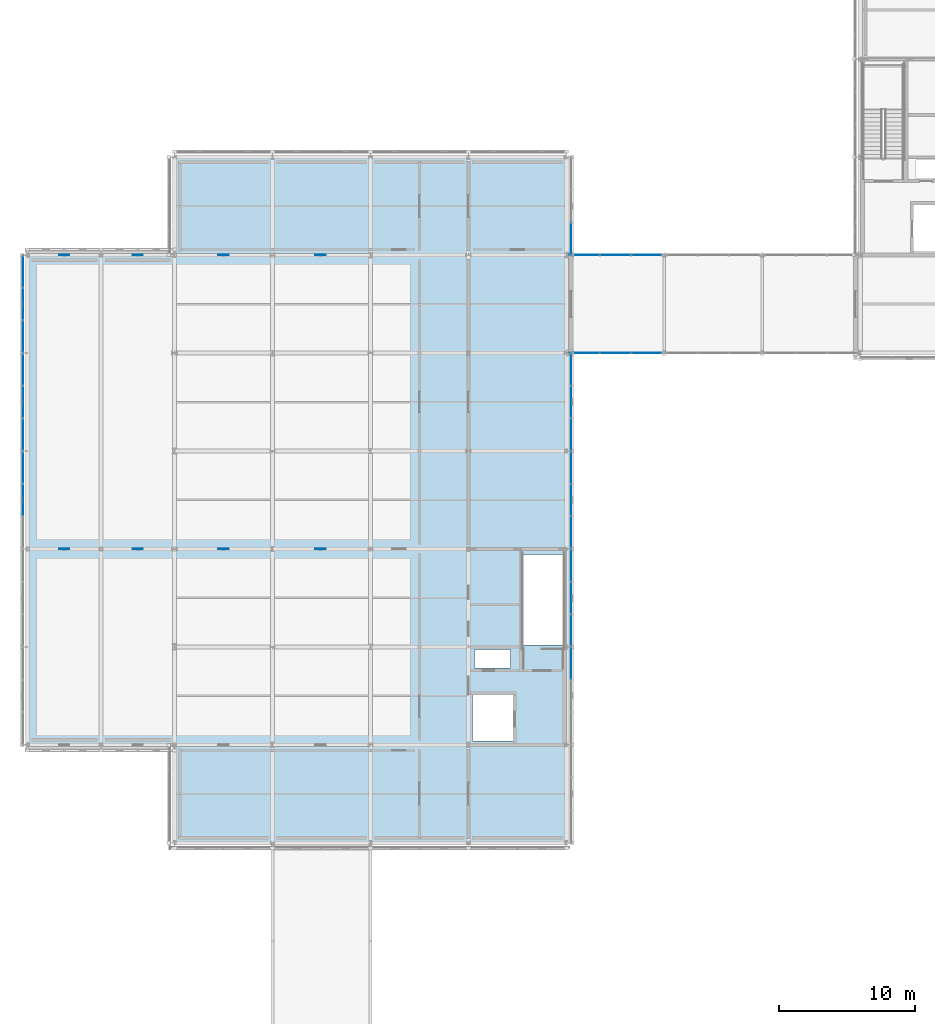
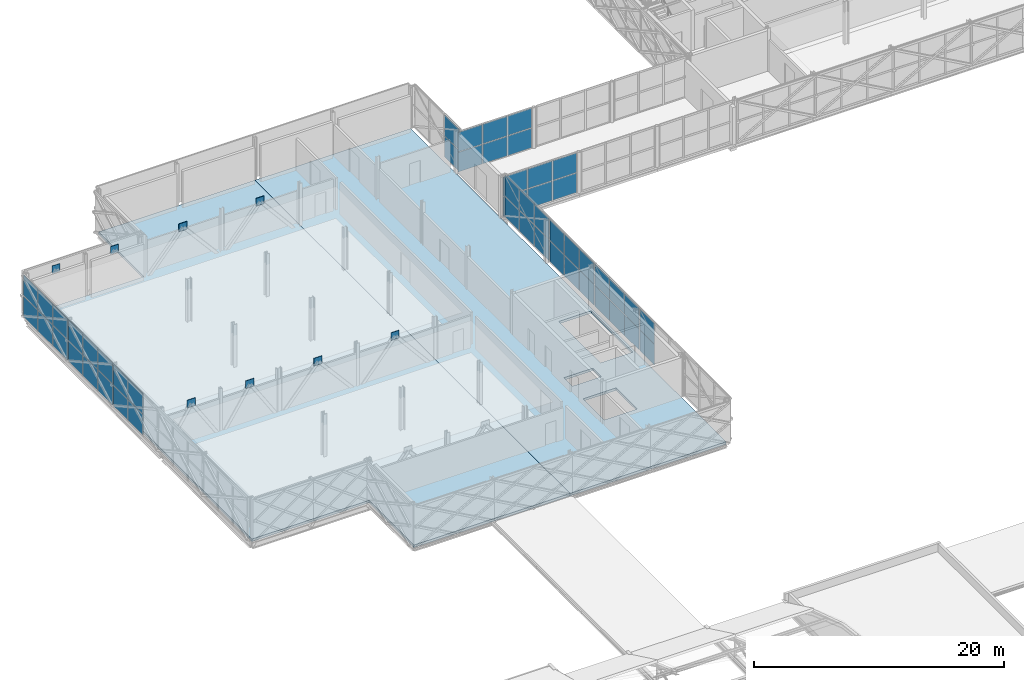
# One storey, part 69 of 103: 58 plates, 2 slabs, 10 elements without a shape of their own.
"""IFC4 building model written with IfcOpenShell, lengths in metres."""

from ifc_helpers import new_model, si_unit, direction, frame, origin, origin_2d, place, context, subcontext, project, spatial, polyline, rectangle, outline, extrude, material, layer, layer_set, type_object, element, aggregate, save


model = new_model("IFC4")

# Units and contexts
model_context = context("Model", 3, precision=1e-05, world=origin(), true_north=direction((0.0, 1.0)))
body_context = subcontext(model_context, "Body", "Model", "MODEL_VIEW")
ifc_project = project(units=[si_unit("LENGTHUNIT", "METRE"), si_unit("AREAUNIT", "SQUARE_METRE"), si_unit("VOLUMEUNIT", "CUBIC_METRE"), si_unit("PLANEANGLEUNIT", "RADIAN"), si_unit("MASSUNIT", "GRAM", prefix="KILO")], contexts=[model_context])

# Site, building, storey
site_placement = place(None, origin())
site = spatial("IfcSite", under=ifc_project, at=site_placement, CompositionType="ELEMENT")
building_placement = place(site_placement, origin())
building = spatial("IfcBuilding", under=site, at=building_placement, Name="Zlatovets Crest Museum", CompositionType="ELEMENT")
storey_placement = place(building_placement, frame((0.0, 0.0, 12.89990234375)))
storey = spatial("IfcBuildingStorey", under=building, at=storey_placement, Name="L03", CompositionType="ELEMENT", Elevation=12.89990234375)

# Curtain wall, plates
ifc_material_1 = material(Name="Bronze-anodised aluminium and low-E triple glass", Category="aluminium")
curtain_wall_type_1 = type_object("IfcCurtainWallType", Name="CW_CW-BR3-L03-S69", PredefinedType="NOTDEFINED", material=ifc_material_1)
curtain_wall_1_placement = place(storey_placement, origin())
curtain_wall_1 = element("IfcCurtainWall", 1, at=curtain_wall_1_placement, inside=storey, type_object=curtain_wall_type_1, Name="Northwest Crest Glazed Link Bridge L03 Glazed Bridge Curtain Wall", PredefinedType="NOTDEFINED")
ifc_material_2 = material(Name="Solar-control low-E laminated triple glass", Category="glass")
ifc_layer_1 = layer(ifc_material_2, 0.030029296875)
ifc_layer_set_1 = layer_set([ifc_layer_1], Name="Solar-control low-E laminated triple glass")
plate_type_1 = type_object("IfcPlateType", Name="CWPanel_CW-BR3-L03-S69", PredefinedType="CURTAIN_PANEL", material=ifc_layer_set_1)
plate_1_placement = place(storey_placement, frame((37.31494140625, 86.39990234375, 0.06005859375), z_axis=(0.0, 0.0, 1.0), x_axis=(1.0, 0.0, 0.0)))
plate_1 = element("IfcPlate", 2, at=plate_1_placement, type_object=plate_type_1, Name="CW-BR3-L03-S69 panel 1.1", PredefinedType="CURTAIN_PANEL", context=body_context, shape_type="SweptSolid", body=[
    extrude(rectangle(XDim=2.2099609375, YDim=0.030029296875, at=origin_2d()), origin(), (0.0, 0.0, 1.0), 1.89990234375),
])
plate_2_placement = place(storey_placement, frame((37.31494140625, 86.39990234375, 2.020263671875), z_axis=(0.0, 0.0, 1.0), x_axis=(1.0, 0.0, 0.0)))
plate_2 = element("IfcPlate", 3, at=plate_2_placement, type_object=plate_type_1, Name="CW-BR3-L03-S69 panel 1.2", PredefinedType="CURTAIN_PANEL", context=body_context, shape_type="SweptSolid", body=[
    extrude(rectangle(XDim=2.2099609375, YDim=0.030029296875, at=origin_2d()), origin(), (0.0, 0.0, 1.0), 1.89990234375),
])
plate_3_placement = place(storey_placement, frame((39.60009765625, 86.39990234375, 0.06005859375), z_axis=(0.0, 0.0, 1.0), x_axis=(1.0, 0.0, 0.0)))
plate_3 = element("IfcPlate", 4, at=plate_3_placement, type_object=plate_type_1, Name="CW-BR3-L03-S69 panel 2.1", PredefinedType="CURTAIN_PANEL", context=body_context, shape_type="SweptSolid", body=[
    extrude(rectangle(XDim=2.239990234375, YDim=0.030029296875, at=origin_2d()), origin(), (0.0, 0.0, 1.0), 1.89990234375),
])
plate_4_placement = place(storey_placement, frame((39.60009765625, 86.39990234375, 2.020263671875), z_axis=(0.0, 0.0, 1.0), x_axis=(1.0, 0.0, 0.0)))
plate_4 = element("IfcPlate", 5, at=plate_4_placement, type_object=plate_type_1, Name="CW-BR3-L03-S69 panel 2.2", PredefinedType="CURTAIN_PANEL", context=body_context, shape_type="SweptSolid", body=[
    extrude(rectangle(XDim=2.239990234375, YDim=0.030029296875, at=origin_2d()), origin(), (0.0, 0.0, 1.0), 1.89990234375),
])
plate_5_placement = place(storey_placement, frame((41.885009765625, 86.39990234375, 0.06005859375), z_axis=(0.0, 0.0, 1.0), x_axis=(1.0, 0.0, 0.0)))
plate_5 = element("IfcPlate", 6, at=plate_5_placement, type_object=plate_type_1, Name="CW-BR3-L03-S69 panel 3.1", PredefinedType="CURTAIN_PANEL", context=body_context, shape_type="SweptSolid", body=[
    extrude(rectangle(XDim=2.2099609375, YDim=0.030029296875, at=origin_2d()), origin(), (0.0, 0.0, 1.0), 1.89990234375),
])
plate_6_placement = place(storey_placement, frame((41.885009765625, 86.39990234375, 2.020263671875), z_axis=(0.0, 0.0, 1.0), x_axis=(1.0, 0.0, 0.0)))
plate_6 = element("IfcPlate", 7, at=plate_6_placement, type_object=plate_type_1, Name="CW-BR3-L03-S69 panel 3.2", PredefinedType="CURTAIN_PANEL", context=body_context, shape_type="SweptSolid", body=[
    extrude(rectangle(XDim=2.2099609375, YDim=0.030029296875, at=origin_2d()), origin(), (0.0, 0.0, 1.0), 1.89990234375),
])
aggregate(curtain_wall_1, [plate_1, plate_2, plate_3, plate_4, plate_5, plate_6])

curtain_wall_2_placement = place(storey_placement, origin())
curtain_wall_2 = element("IfcCurtainWall", 8, at=curtain_wall_2_placement, inside=storey, type_object=curtain_wall_type_1, Name="Northwest Crest Glazed Link Bridge L03 Glazed Bridge Curtain Wall", PredefinedType="NOTDEFINED")
plate_7_placement = place(storey_placement, frame((37.31494140625, 93.60009765625, 0.06005859375), z_axis=(0.0, 0.0, 1.0), x_axis=(1.0, 0.0, 0.0)))
plate_7 = element("IfcPlate", 9, at=plate_7_placement, type_object=plate_type_1, Name="CW-BR3-L03-S69 panel 1.1", PredefinedType="CURTAIN_PANEL", context=body_context, shape_type="SweptSolid", body=[
    extrude(rectangle(XDim=2.2099609375, YDim=0.030029296875, at=origin_2d()), origin(), (0.0, 0.0, 1.0), 1.89990234375),
])
plate_8_placement = place(storey_placement, frame((37.31494140625, 93.60009765625, 2.020263671875), z_axis=(0.0, 0.0, 1.0), x_axis=(1.0, 0.0, 0.0)))
plate_8 = element("IfcPlate", 10, at=plate_8_placement, type_object=plate_type_1, Name="CW-BR3-L03-S69 panel 1.2", PredefinedType="CURTAIN_PANEL", context=body_context, shape_type="SweptSolid", body=[
    extrude(rectangle(XDim=2.2099609375, YDim=0.030029296875, at=origin_2d()), origin(), (0.0, 0.0, 1.0), 1.89990234375),
])
plate_9_placement = place(storey_placement, frame((39.60009765625, 93.60009765625, 0.06005859375), z_axis=(0.0, 0.0, 1.0), x_axis=(1.0, 0.0, 0.0)))
plate_9 = element("IfcPlate", 11, at=plate_9_placement, type_object=plate_type_1, Name="CW-BR3-L03-S69 panel 2.1", PredefinedType="CURTAIN_PANEL", context=body_context, shape_type="SweptSolid", body=[
    extrude(rectangle(XDim=2.239990234375, YDim=0.030029296875, at=origin_2d()), origin(), (0.0, 0.0, 1.0), 1.89990234375),
])
plate_10_placement = place(storey_placement, frame((39.60009765625, 93.60009765625, 2.020263671875), z_axis=(0.0, 0.0, 1.0), x_axis=(1.0, 0.0, 0.0)))
plate_10 = element("IfcPlate", 12, at=plate_10_placement, type_object=plate_type_1, Name="CW-BR3-L03-S69 panel 2.2", PredefinedType="CURTAIN_PANEL", context=body_context, shape_type="SweptSolid", body=[
    extrude(rectangle(XDim=2.239990234375, YDim=0.030029296875, at=origin_2d()), origin(), (0.0, 0.0, 1.0), 1.89990234375),
])
plate_11_placement = place(storey_placement, frame((41.885009765625, 93.60009765625, 0.06005859375), z_axis=(0.0, 0.0, 1.0), x_axis=(1.0, 0.0, 0.0)))
plate_11 = element("IfcPlate", 13, at=plate_11_placement, type_object=plate_type_1, Name="CW-BR3-L03-S69 panel 3.1", PredefinedType="CURTAIN_PANEL", context=body_context, shape_type="SweptSolid", body=[
    extrude(rectangle(XDim=2.2099609375, YDim=0.030029296875, at=origin_2d()), origin(), (0.0, 0.0, 1.0), 1.89990234375),
])
plate_12_placement = place(storey_placement, frame((41.885009765625, 93.60009765625, 2.020263671875), z_axis=(0.0, 0.0, 1.0), x_axis=(1.0, 0.0, 0.0)))
plate_12 = element("IfcPlate", 14, at=plate_12_placement, type_object=plate_type_1, Name="CW-BR3-L03-S69 panel 3.2", PredefinedType="CURTAIN_PANEL", context=body_context, shape_type="SweptSolid", body=[
    extrude(rectangle(XDim=2.2099609375, YDim=0.030029296875, at=origin_2d()), origin(), (0.0, 0.0, 1.0), 1.89990234375),
])
aggregate(curtain_wall_2, [plate_7, plate_8, plate_9, plate_10, plate_11, plate_12])

curtain_wall_type_2 = type_object("IfcCurtainWallType", Name="CW_CW-V4-L03-M0", PredefinedType="NOTDEFINED", material=ifc_material_1)
curtain_wall_3_placement = place(storey_placement, origin())
curtain_wall_3 = element("IfcCurtainWall", 15, at=curtain_wall_3_placement, inside=storey, type_object=curtain_wall_type_2, Name="V4 L03 Secession Foyer Clear Curtain Wall", PredefinedType="NOTDEFINED")
ifc_layer_2 = layer(ifc_material_2, 0.028076171875)
ifc_layer_set_2 = layer_set([ifc_layer_2], Name="Solar-control low-E laminated triple glass")
plate_type_2 = type_object("IfcPlateType", Name="CWPanel_CW-V4-L03-M0", PredefinedType="CURTAIN_PANEL", material=ifc_layer_set_2)
plate_13_placement = place(storey_placement, frame((36.340087890625, 80.4150390625, 0.06005859375), z_axis=(0.0, 0.0, 1.0), x_axis=(0.0, 1.0, 0.0)))
plate_13 = element("IfcPlate", 16, at=plate_13_placement, type_object=plate_type_2, Name="CW-V4-L03-M0 panel 1.1", PredefinedType="CURTAIN_PANEL", context=body_context, shape_type="SweptSolid", body=[
    extrude(rectangle(XDim=2.31005859375, YDim=0.028076171875, at=origin_2d()), origin(), (0.0, 0.0, 1.0), 2.010009765625),
])
plate_14_placement = place(storey_placement, frame((36.340087890625, 80.4150390625, 2.1298828125), z_axis=(0.0, 0.0, 1.0), x_axis=(0.0, 1.0, 0.0)))
plate_14 = element("IfcPlate", 17, at=plate_14_placement, type_object=plate_type_2, Name="CW-V4-L03-M0 panel 1.2", PredefinedType="CURTAIN_PANEL", context=body_context, shape_type="SweptSolid", body=[
    extrude(rectangle(XDim=2.31005859375, YDim=0.028076171875, at=origin_2d()), origin(), (0.0, 0.0, 1.0), 2.010009765625),
])
plate_15_placement = place(storey_placement, frame((36.340087890625, 82.800048828125, 0.06005859375), z_axis=(0.0, 0.0, 1.0), x_axis=(0.0, 1.0, 0.0)))
plate_15 = element("IfcPlate", 18, at=plate_15_placement, type_object=plate_type_2, Name="CW-V4-L03-M0 panel 2.1", PredefinedType="CURTAIN_PANEL", context=body_context, shape_type="SweptSolid", body=[
    extrude(rectangle(XDim=2.340087890625, YDim=0.028076171875, at=origin_2d()), origin(), (0.0, 0.0, 1.0), 2.010009765625),
])
plate_16_placement = place(storey_placement, frame((36.340087890625, 82.800048828125, 2.1298828125), z_axis=(0.0, 0.0, 1.0), x_axis=(0.0, 1.0, 0.0)))
plate_16 = element("IfcPlate", 19, at=plate_16_placement, type_object=plate_type_2, Name="CW-V4-L03-M0 panel 2.2", PredefinedType="CURTAIN_PANEL", context=body_context, shape_type="SweptSolid", body=[
    extrude(rectangle(XDim=2.340087890625, YDim=0.028076171875, at=origin_2d()), origin(), (0.0, 0.0, 1.0), 2.010009765625),
])
plate_17_placement = place(storey_placement, frame((36.340087890625, 85.18505859375, 0.06005859375), z_axis=(0.0, 0.0, 1.0), x_axis=(0.0, 1.0, 0.0)))
plate_17 = element("IfcPlate", 20, at=plate_17_placement, type_object=plate_type_2, Name="CW-V4-L03-M0 panel 3.1", PredefinedType="CURTAIN_PANEL", context=body_context, shape_type="SweptSolid", body=[
    extrude(rectangle(XDim=2.31005859375, YDim=0.028076171875, at=origin_2d()), origin(), (0.0, 0.0, 1.0), 2.010009765625),
])
plate_18_placement = place(storey_placement, frame((36.340087890625, 85.18505859375, 2.1298828125), z_axis=(0.0, 0.0, 1.0), x_axis=(0.0, 1.0, 0.0)))
plate_18 = element("IfcPlate", 21, at=plate_18_placement, type_object=plate_type_2, Name="CW-V4-L03-M0 panel 3.2", PredefinedType="CURTAIN_PANEL", context=body_context, shape_type="SweptSolid", body=[
    extrude(rectangle(XDim=2.31005859375, YDim=0.028076171875, at=origin_2d()), origin(), (0.0, 0.0, 1.0), 2.010009765625),
])
aggregate(curtain_wall_3, [plate_13, plate_14, plate_15, plate_16, plate_17, plate_18])

curtain_wall_4_placement = place(storey_placement, origin())
curtain_wall_4 = element("IfcCurtainWall", 22, at=curtain_wall_4_placement, inside=storey, type_object=curtain_wall_type_2, Name="V4 L03 Secession Foyer Clear Curtain Wall", PredefinedType="NOTDEFINED")
plate_19_placement = place(storey_placement, frame((-3.93994140625, 77.985107421875, 0.06005859375), z_axis=(0.0, 0.0, 1.0), x_axis=(0.0, -1.0, 0.0)))
plate_19 = element("IfcPlate", 23, at=plate_19_placement, type_object=plate_type_2, Name="CW-V4-L03-M0 panel 1.1", PredefinedType="CURTAIN_PANEL", context=body_context, shape_type="SweptSolid", body=[
    extrude(rectangle(XDim=2.31005859375, YDim=0.028076171875, at=origin_2d()), origin(), (0.0, 0.0, 1.0), 2.010009765625),
])
plate_20_placement = place(storey_placement, frame((-3.93994140625, 77.985107421875, 2.1298828125), z_axis=(0.0, 0.0, 1.0), x_axis=(0.0, -1.0, 0.0)))
plate_20 = element("IfcPlate", 24, at=plate_20_placement, type_object=plate_type_2, Name="CW-V4-L03-M0 panel 1.2", PredefinedType="CURTAIN_PANEL", context=body_context, shape_type="SweptSolid", body=[
    extrude(rectangle(XDim=2.31005859375, YDim=0.028076171875, at=origin_2d()), origin(), (0.0, 0.0, 1.0), 2.010009765625),
])
plate_21_placement = place(storey_placement, frame((-3.93994140625, 75.60009765625, 0.06005859375), z_axis=(0.0, 0.0, 1.0), x_axis=(0.0, -1.0, 0.0)))
plate_21 = element("IfcPlate", 25, at=plate_21_placement, type_object=plate_type_2, Name="CW-V4-L03-M0 panel 2.1", PredefinedType="CURTAIN_PANEL", context=body_context, shape_type="SweptSolid", body=[
    extrude(rectangle(XDim=2.340087890625, YDim=0.028076171875, at=origin_2d()), origin(), (0.0, 0.0, 1.0), 2.010009765625),
])
plate_22_placement = place(storey_placement, frame((-3.93994140625, 75.60009765625, 2.1298828125), z_axis=(0.0, 0.0, 1.0), x_axis=(0.0, -1.0, 0.0)))
plate_22 = element("IfcPlate", 26, at=plate_22_placement, type_object=plate_type_2, Name="CW-V4-L03-M0 panel 2.2", PredefinedType="CURTAIN_PANEL", context=body_context, shape_type="SweptSolid", body=[
    extrude(rectangle(XDim=2.340087890625, YDim=0.028076171875, at=origin_2d()), origin(), (0.0, 0.0, 1.0), 2.010009765625),
])
aggregate(curtain_wall_4, [plate_19, plate_20, plate_21, plate_22])

curtain_wall_type_3 = type_object("IfcCurtainWallType", Name="CW_CW-V4-L03-M1", PredefinedType="NOTDEFINED", material=ifc_material_1)
curtain_wall_5_placement = place(storey_placement, origin())
curtain_wall_5 = element("IfcCurtainWall", 27, at=curtain_wall_5_placement, inside=storey, type_object=curtain_wall_type_3, Name="V4 L03 Expressed Core Glazed Facade", PredefinedType="NOTDEFINED")
ifc_layer_3 = layer(ifc_material_2, 0.030029296875)
ifc_layer_set_3 = layer_set([ifc_layer_3], Name="Solar-control low-E laminated triple glass")
plate_type_3 = type_object("IfcPlateType", Name="CWPanel_CW-V4-L03-M1", PredefinedType="CURTAIN_PANEL", material=ifc_layer_set_3)
plate_23_placement = place(storey_placement, frame((36.340087890625, 63.5849609375, 0.06005859375), z_axis=(0.0, 0.0, 1.0), x_axis=(0.0, 1.0, 0.0)))
plate_23 = element("IfcPlate", 28, at=plate_23_placement, type_object=plate_type_3, Name="CW-V4-L03-M1 panel 3.1", PredefinedType="CURTAIN_PANEL", context=body_context, shape_type="SweptSolid", body=[
    extrude(rectangle(XDim=2.31005859375, YDim=0.030029296875, at=origin_2d()), origin(), (0.0, 0.0, 1.0), 2.010009765625),
])
plate_24_placement = place(storey_placement, frame((36.340087890625, 63.5849609375, 2.1298828125), z_axis=(0.0, 0.0, 1.0), x_axis=(0.0, 1.0, 0.0)))
plate_24 = element("IfcPlate", 29, at=plate_24_placement, type_object=plate_type_3, Name="CW-V4-L03-M1 panel 3.2", PredefinedType="CURTAIN_PANEL", context=body_context, shape_type="SweptSolid", body=[
    extrude(rectangle(XDim=2.31005859375, YDim=0.030029296875, at=origin_2d()), origin(), (0.0, 0.0, 1.0), 2.010009765625),
])
aggregate(curtain_wall_5, [plate_23, plate_24])

curtain_wall_type_4 = type_object("IfcCurtainWallType", Name="CW_CW-V4-L03-M2", PredefinedType="NOTDEFINED", material=ifc_material_1)
curtain_wall_6_placement = place(storey_placement, origin())
curtain_wall_6 = element("IfcCurtainWall", 30, at=curtain_wall_6_placement, inside=storey, type_object=curtain_wall_type_4, Name="V4 L03 Expressed Core Glazed Facade", PredefinedType="NOTDEFINED")
ifc_layer_4 = layer(ifc_material_2, 0.030029296875)
ifc_layer_set_4 = layer_set([ifc_layer_4], Name="Solar-control low-E laminated triple glass")
plate_type_4 = type_object("IfcPlateType", Name="CWPanel_CW-V4-L03-M2", PredefinedType="CURTAIN_PANEL", material=ifc_layer_set_4)
plate_25_placement = place(storey_placement, frame((36.340087890625, 66.014892578125, 0.06005859375), z_axis=(0.0, 0.0, 1.0), x_axis=(0.0, 1.0, 0.0)))
plate_25 = element("IfcPlate", 31, at=plate_25_placement, type_object=plate_type_4, Name="CW-V4-L03-M2 panel 1.1", PredefinedType="CURTAIN_PANEL", context=body_context, shape_type="SweptSolid", body=[
    extrude(rectangle(XDim=2.31005859375, YDim=0.030029296875, at=origin_2d()), origin(), (0.0, 0.0, 1.0), 2.010009765625),
])
plate_26_placement = place(storey_placement, frame((36.340087890625, 66.014892578125, 2.1298828125), z_axis=(0.0, 0.0, 1.0), x_axis=(0.0, 1.0, 0.0)))
plate_26 = element("IfcPlate", 32, at=plate_26_placement, type_object=plate_type_4, Name="CW-V4-L03-M2 panel 1.2", PredefinedType="CURTAIN_PANEL", context=body_context, shape_type="SweptSolid", body=[
    extrude(rectangle(XDim=2.31005859375, YDim=0.030029296875, at=origin_2d()), origin(), (0.0, 0.0, 1.0), 2.010009765625),
])
plate_27_placement = place(storey_placement, frame((36.340087890625, 68.39990234375, 0.06005859375), z_axis=(0.0, 0.0, 1.0), x_axis=(0.0, 1.0, 0.0)))
plate_27 = element("IfcPlate", 33, at=plate_27_placement, type_object=plate_type_4, Name="CW-V4-L03-M2 panel 2.1", PredefinedType="CURTAIN_PANEL", context=body_context, shape_type="SweptSolid", body=[
    extrude(rectangle(XDim=2.340087890625, YDim=0.030029296875, at=origin_2d()), origin(), (0.0, 0.0, 1.0), 2.010009765625),
])
plate_28_placement = place(storey_placement, frame((36.340087890625, 68.39990234375, 2.1298828125), z_axis=(0.0, 0.0, 1.0), x_axis=(0.0, 1.0, 0.0)))
plate_28 = element("IfcPlate", 34, at=plate_28_placement, type_object=plate_type_4, Name="CW-V4-L03-M2 panel 2.2", PredefinedType="CURTAIN_PANEL", context=body_context, shape_type="SweptSolid", body=[
    extrude(rectangle(XDim=2.340087890625, YDim=0.030029296875, at=origin_2d()), origin(), (0.0, 0.0, 1.0), 2.010009765625),
])
plate_29_placement = place(storey_placement, frame((36.340087890625, 70.784912109375, 0.06005859375), z_axis=(0.0, 0.0, 1.0), x_axis=(0.0, 1.0, 0.0)))
plate_29 = element("IfcPlate", 35, at=plate_29_placement, type_object=plate_type_4, Name="CW-V4-L03-M2 panel 3.1", PredefinedType="CURTAIN_PANEL", context=body_context, shape_type="SweptSolid", body=[
    extrude(rectangle(XDim=2.31005859375, YDim=0.030029296875, at=origin_2d()), origin(), (0.0, 0.0, 1.0), 2.010009765625),
])
plate_30_placement = place(storey_placement, frame((36.340087890625, 70.784912109375, 2.1298828125), z_axis=(0.0, 0.0, 1.0), x_axis=(0.0, 1.0, 0.0)))
plate_30 = element("IfcPlate", 36, at=plate_30_placement, type_object=plate_type_4, Name="CW-V4-L03-M2 panel 3.2", PredefinedType="CURTAIN_PANEL", context=body_context, shape_type="SweptSolid", body=[
    extrude(rectangle(XDim=2.31005859375, YDim=0.030029296875, at=origin_2d()), origin(), (0.0, 0.0, 1.0), 2.010009765625),
])
aggregate(curtain_wall_6, [plate_25, plate_26, plate_27, plate_28, plate_29, plate_30])

curtain_wall_7_placement = place(storey_placement, origin())
curtain_wall_7 = element("IfcCurtainWall", 37, at=curtain_wall_7_placement, inside=storey, type_object=curtain_wall_type_4, Name="V4 L03 Secession Foyer Clear Curtain Wall", PredefinedType="NOTDEFINED")
plate_31_placement = place(storey_placement, frame((36.340087890625, 94.81494140625, 0.06005859375), z_axis=(0.0, 0.0, 1.0), x_axis=(0.0, 1.0, 0.0)))
plate_31 = element("IfcPlate", 38, at=plate_31_placement, type_object=plate_type_4, Name="CW-V4-L03-M2 panel 1.1", PredefinedType="CURTAIN_PANEL", context=body_context, shape_type="SweptSolid", body=[
    extrude(rectangle(XDim=2.31005859375, YDim=0.035888671875, at=origin_2d()), origin(), (0.0, 0.0, 1.0), 2.010009765625),
])
plate_32_placement = place(storey_placement, frame((36.340087890625, 94.81494140625, 2.1298828125), z_axis=(0.0, 0.0, 1.0), x_axis=(0.0, 1.0, 0.0)))
plate_32 = element("IfcPlate", 39, at=plate_32_placement, type_object=plate_type_4, Name="CW-V4-L03-M2 panel 1.2", PredefinedType="CURTAIN_PANEL", context=body_context, shape_type="SweptSolid", body=[
    extrude(rectangle(XDim=2.31005859375, YDim=0.035888671875, at=origin_2d()), origin(), (0.0, 0.0, 1.0), 2.010009765625),
])
aggregate(curtain_wall_7, [plate_31, plate_32])

curtain_wall_8_placement = place(storey_placement, origin())
curtain_wall_8 = element("IfcCurtainWall", 40, at=curtain_wall_8_placement, inside=storey, type_object=curtain_wall_type_4, Name="V4 L03 Secession Foyer Clear Curtain Wall", PredefinedType="NOTDEFINED")
plate_33_placement = place(storey_placement, frame((-3.93994140625, 92.385009765625, 0.06005859375), z_axis=(0.0, 0.0, 1.0), x_axis=(0.0, -1.0, 0.0)))
plate_33 = element("IfcPlate", 41, at=plate_33_placement, type_object=plate_type_4, Name="CW-V4-L03-M2 panel 1.1", PredefinedType="CURTAIN_PANEL", context=body_context, shape_type="SweptSolid", body=[
    extrude(rectangle(XDim=2.31005859375, YDim=0.035888671875, at=origin_2d()), origin(), (0.0, 0.0, 1.0), 2.010009765625),
])
plate_34_placement = place(storey_placement, frame((-3.93994140625, 92.385009765625, 2.1298828125), z_axis=(0.0, 0.0, 1.0), x_axis=(0.0, -1.0, 0.0)))
plate_34 = element("IfcPlate", 42, at=plate_34_placement, type_object=plate_type_4, Name="CW-V4-L03-M2 panel 1.2", PredefinedType="CURTAIN_PANEL", context=body_context, shape_type="SweptSolid", body=[
    extrude(rectangle(XDim=2.31005859375, YDim=0.035888671875, at=origin_2d()), origin(), (0.0, 0.0, 1.0), 2.010009765625),
])
plate_35_placement = place(storey_placement, frame((-3.93994140625, 90.0, 0.06005859375), z_axis=(0.0, 0.0, 1.0), x_axis=(0.0, -1.0, 0.0)))
plate_35 = element("IfcPlate", 43, at=plate_35_placement, type_object=plate_type_4, Name="CW-V4-L03-M2 panel 2.1", PredefinedType="CURTAIN_PANEL", context=body_context, shape_type="SweptSolid", body=[
    extrude(rectangle(XDim=2.340087890625, YDim=0.035888671875, at=origin_2d()), origin(), (0.0, 0.0, 1.0), 2.010009765625),
])
plate_36_placement = place(storey_placement, frame((-3.93994140625, 90.0, 2.1298828125), z_axis=(0.0, 0.0, 1.0), x_axis=(0.0, -1.0, 0.0)))
plate_36 = element("IfcPlate", 44, at=plate_36_placement, type_object=plate_type_4, Name="CW-V4-L03-M2 panel 2.2", PredefinedType="CURTAIN_PANEL", context=body_context, shape_type="SweptSolid", body=[
    extrude(rectangle(XDim=2.340087890625, YDim=0.035888671875, at=origin_2d()), origin(), (0.0, 0.0, 1.0), 2.010009765625),
])
plate_37_placement = place(storey_placement, frame((-3.93994140625, 87.614990234375, 0.06005859375), z_axis=(0.0, 0.0, 1.0), x_axis=(0.0, -1.0, 0.0)))
plate_37 = element("IfcPlate", 45, at=plate_37_placement, type_object=plate_type_4, Name="CW-V4-L03-M2 panel 3.1", PredefinedType="CURTAIN_PANEL", context=body_context, shape_type="SweptSolid", body=[
    extrude(rectangle(XDim=2.31005859375, YDim=0.035888671875, at=origin_2d()), origin(), (0.0, 0.0, 1.0), 2.010009765625),
])
plate_38_placement = place(storey_placement, frame((-3.93994140625, 87.614990234375, 2.1298828125), z_axis=(0.0, 0.0, 1.0), x_axis=(0.0, -1.0, 0.0)))
plate_38 = element("IfcPlate", 46, at=plate_38_placement, type_object=plate_type_4, Name="CW-V4-L03-M2 panel 3.2", PredefinedType="CURTAIN_PANEL", context=body_context, shape_type="SweptSolid", body=[
    extrude(rectangle(XDim=2.31005859375, YDim=0.035888671875, at=origin_2d()), origin(), (0.0, 0.0, 1.0), 2.010009765625),
])
aggregate(curtain_wall_8, [plate_33, plate_34, plate_35, plate_36, plate_37, plate_38])

curtain_wall_type_5 = type_object("IfcCurtainWallType", Name="CW_CW-V4-L03-M3", PredefinedType="NOTDEFINED", material=ifc_material_1)
curtain_wall_9_placement = place(storey_placement, origin())
curtain_wall_9 = element("IfcCurtainWall", 47, at=curtain_wall_9_placement, inside=storey, type_object=curtain_wall_type_5, Name="V4 L03 Secession Foyer Clear Curtain Wall", PredefinedType="NOTDEFINED")
ifc_layer_5 = layer(ifc_material_2, 0.0400390625)
ifc_layer_set_5 = layer_set([ifc_layer_5], Name="Solar-control low-E laminated triple glass")
plate_type_5 = type_object("IfcPlateType", Name="CWPanel_CW-V4-L03-M3", PredefinedType="CURTAIN_PANEL", material=ifc_layer_set_5)
plate_39_placement = place(storey_placement, frame((36.340087890625, 73.215087890625, 0.06005859375), z_axis=(0.0, 0.0, 1.0), x_axis=(0.0, 1.0, 0.0)))
plate_39 = element("IfcPlate", 48, at=plate_39_placement, type_object=plate_type_5, Name="CW-V4-L03-M3 panel 1.1", PredefinedType="CURTAIN_PANEL", context=body_context, shape_type="SweptSolid", body=[
    extrude(rectangle(XDim=2.31005859375, YDim=0.0400390625, at=origin_2d()), origin(), (0.0, 0.0, 1.0), 2.010009765625),
])
plate_40_placement = place(storey_placement, frame((36.340087890625, 73.215087890625, 2.1298828125), z_axis=(0.0, 0.0, 1.0), x_axis=(0.0, 1.0, 0.0)))
plate_40 = element("IfcPlate", 49, at=plate_40_placement, type_object=plate_type_5, Name="CW-V4-L03-M3 panel 1.2", PredefinedType="CURTAIN_PANEL", context=body_context, shape_type="SweptSolid", body=[
    extrude(rectangle(XDim=2.31005859375, YDim=0.0400390625, at=origin_2d()), origin(), (0.0, 0.0, 1.0), 2.010009765625),
])
plate_41_placement = place(storey_placement, frame((36.340087890625, 75.60009765625, 0.06005859375), z_axis=(0.0, 0.0, 1.0), x_axis=(0.0, 1.0, 0.0)))
plate_41 = element("IfcPlate", 50, at=plate_41_placement, type_object=plate_type_5, Name="CW-V4-L03-M3 panel 2.1", PredefinedType="CURTAIN_PANEL", context=body_context, shape_type="SweptSolid", body=[
    extrude(rectangle(XDim=2.340087890625, YDim=0.0400390625, at=origin_2d()), origin(), (0.0, 0.0, 1.0), 2.010009765625),
])
plate_42_placement = place(storey_placement, frame((36.340087890625, 75.60009765625, 2.1298828125), z_axis=(0.0, 0.0, 1.0), x_axis=(0.0, 1.0, 0.0)))
plate_42 = element("IfcPlate", 51, at=plate_42_placement, type_object=plate_type_5, Name="CW-V4-L03-M3 panel 2.2", PredefinedType="CURTAIN_PANEL", context=body_context, shape_type="SweptSolid", body=[
    extrude(rectangle(XDim=2.340087890625, YDim=0.0400390625, at=origin_2d()), origin(), (0.0, 0.0, 1.0), 2.010009765625),
])
plate_43_placement = place(storey_placement, frame((36.340087890625, 77.985107421875, 0.06005859375), z_axis=(0.0, 0.0, 1.0), x_axis=(0.0, 1.0, 0.0)))
plate_43 = element("IfcPlate", 52, at=plate_43_placement, type_object=plate_type_5, Name="CW-V4-L03-M3 panel 3.1", PredefinedType="CURTAIN_PANEL", context=body_context, shape_type="SweptSolid", body=[
    extrude(rectangle(XDim=2.31005859375, YDim=0.0400390625, at=origin_2d()), origin(), (0.0, 0.0, 1.0), 2.010009765625),
])
plate_44_placement = place(storey_placement, frame((36.340087890625, 77.985107421875, 2.1298828125), z_axis=(0.0, 0.0, 1.0), x_axis=(0.0, 1.0, 0.0)))
plate_44 = element("IfcPlate", 53, at=plate_44_placement, type_object=plate_type_5, Name="CW-V4-L03-M3 panel 3.2", PredefinedType="CURTAIN_PANEL", context=body_context, shape_type="SweptSolid", body=[
    extrude(rectangle(XDim=2.31005859375, YDim=0.0400390625, at=origin_2d()), origin(), (0.0, 0.0, 1.0), 2.010009765625),
])
aggregate(curtain_wall_9, [plate_39, plate_40, plate_41, plate_42, plate_43, plate_44])

curtain_wall_10_placement = place(storey_placement, origin())
curtain_wall_10 = element("IfcCurtainWall", 54, at=curtain_wall_10_placement, inside=storey, type_object=curtain_wall_type_5, Name="V4 L03 Secession Foyer Clear Curtain Wall", PredefinedType="NOTDEFINED")
plate_45_placement = place(storey_placement, frame((-3.93994140625, 85.18505859375, 0.06005859375), z_axis=(0.0, 0.0, 1.0), x_axis=(0.0, -1.0, 0.0)))
plate_45 = element("IfcPlate", 55, at=plate_45_placement, type_object=plate_type_5, Name="CW-V4-L03-M3 panel 1.1", PredefinedType="CURTAIN_PANEL", context=body_context, shape_type="SweptSolid", body=[
    extrude(rectangle(XDim=2.31005859375, YDim=0.0400390625, at=origin_2d()), origin(), (0.0, 0.0, 1.0), 2.010009765625),
])
plate_46_placement = place(storey_placement, frame((-3.93994140625, 85.18505859375, 2.1298828125), z_axis=(0.0, 0.0, 1.0), x_axis=(0.0, -1.0, 0.0)))
plate_46 = element("IfcPlate", 56, at=plate_46_placement, type_object=plate_type_5, Name="CW-V4-L03-M3 panel 1.2", PredefinedType="CURTAIN_PANEL", context=body_context, shape_type="SweptSolid", body=[
    extrude(rectangle(XDim=2.31005859375, YDim=0.0400390625, at=origin_2d()), origin(), (0.0, 0.0, 1.0), 2.010009765625),
])
plate_47_placement = place(storey_placement, frame((-3.93994140625, 82.800048828125, 0.06005859375), z_axis=(0.0, 0.0, 1.0), x_axis=(0.0, -1.0, 0.0)))
plate_47 = element("IfcPlate", 57, at=plate_47_placement, type_object=plate_type_5, Name="CW-V4-L03-M3 panel 2.1", PredefinedType="CURTAIN_PANEL", context=body_context, shape_type="SweptSolid", body=[
    extrude(rectangle(XDim=2.340087890625, YDim=0.0400390625, at=origin_2d()), origin(), (0.0, 0.0, 1.0), 2.010009765625),
])
plate_48_placement = place(storey_placement, frame((-3.93994140625, 82.800048828125, 2.1298828125), z_axis=(0.0, 0.0, 1.0), x_axis=(0.0, -1.0, 0.0)))
plate_48 = element("IfcPlate", 58, at=plate_48_placement, type_object=plate_type_5, Name="CW-V4-L03-M3 panel 2.2", PredefinedType="CURTAIN_PANEL", context=body_context, shape_type="SweptSolid", body=[
    extrude(rectangle(XDim=2.340087890625, YDim=0.0400390625, at=origin_2d()), origin(), (0.0, 0.0, 1.0), 2.010009765625),
])
plate_49_placement = place(storey_placement, frame((-3.93994140625, 80.4150390625, 0.06005859375), z_axis=(0.0, 0.0, 1.0), x_axis=(0.0, -1.0, 0.0)))
plate_49 = element("IfcPlate", 59, at=plate_49_placement, type_object=plate_type_5, Name="CW-V4-L03-M3 panel 3.1", PredefinedType="CURTAIN_PANEL", context=body_context, shape_type="SweptSolid", body=[
    extrude(rectangle(XDim=2.31005859375, YDim=0.0400390625, at=origin_2d()), origin(), (0.0, 0.0, 1.0), 2.010009765625),
])
plate_50_placement = place(storey_placement, frame((-3.93994140625, 80.4150390625, 2.1298828125), z_axis=(0.0, 0.0, 1.0), x_axis=(0.0, -1.0, 0.0)))
plate_50 = element("IfcPlate", 60, at=plate_50_placement, type_object=plate_type_5, Name="CW-V4-L03-M3 panel 3.2", PredefinedType="CURTAIN_PANEL", context=body_context, shape_type="SweptSolid", body=[
    extrude(rectangle(XDim=2.31005859375, YDim=0.0400390625, at=origin_2d()), origin(), (0.0, 0.0, 1.0), 2.010009765625),
])
aggregate(curtain_wall_10, [plate_45, plate_46, plate_47, plate_48, plate_49, plate_50])

# Plates
ifc_material_3 = material(Name="Structural steel S355J2", Category="steel")
ifc_layer_6 = layer(ifc_material_3, 0.034912109375)
ifc_layer_set_6 = layer_set([ifc_layer_6], Name="Structural steel S355J2")
plate_type_6 = type_object("IfcPlateType", Name="Gusset_GP-03", PredefinedType="USERDEFINED", material=ifc_layer_set_6)
for number, where, z_axis, x_axis, name in (
    (61, (-0.89990234375, 72.0, 3.255126953125), (0.0, 0.0, 1.0), (1.0, 0.0, 0.0), "Transfer Truss Node Gusset Plate GP-03"),
    (62, (4.5, 72.0, 3.255126953125), (0.0, 0.0, 1.0), (1.0, 0.0, 0.0), "Transfer Truss Node Gusset Plate GP-03"),
    (63, (10.800048828125, 72.0, 3.255126953125), (0.0, 0.0, 1.0), (1.0, 0.0, 0.0), "Transfer Truss Node Gusset Plate GP-03"),
    (64, (17.919921875, 72.0, 3.255126953125), (0.0, 0.0, 1.0), (1.0, 0.0, 0.0), "Transfer Truss Node Gusset Plate GP-03"),
    (65, (-0.89990234375, 93.60009765625, 3.255126953125), (0.0, 0.0, 1.0), (1.0, 0.0, 0.0), "Transfer Truss Node Gusset Plate GP-03"),
    (66, (4.5, 93.60009765625, 3.255126953125), (0.0, 0.0, 1.0), (1.0, 0.0, 0.0), "Transfer Truss Node Gusset Plate GP-03"),
    (67, (10.800048828125, 93.60009765625, 3.255126953125), (0.0, 0.0, 1.0), (1.0, 0.0, 0.0), "Transfer Truss Node Gusset Plate GP-03"),
    (68, (17.919921875, 93.60009765625, 3.255126953125), (0.0, 0.0, 1.0), (1.0, 0.0, 0.0), "Transfer Truss Node Gusset Plate GP-03"),
):
    element("IfcPlate", number, at=place(storey_placement, frame(where, z_axis=z_axis, x_axis=x_axis)), inside=storey, type_object=plate_type_6, Name=name, ObjectType="GUSSET", PredefinedType="USERDEFINED", context=body_context, shape_type="SweptSolid", body=[
        extrude(rectangle(XDim=0.75, YDim=0.034912109375, at=origin_2d()), origin(), (0.0, 0.0, 1.0), 0.75),
    ])

# Slabs
ifc_material_4 = material(Name="Concrete C30/37", Category="concrete")
ifc_layer_7 = layer(ifc_material_4, 0.239990234375)
ifc_layer_set_7 = layer_set([ifc_layer_7], Name="Concrete C30/37")
slab_type = type_object("IfcSlabType", Name="Slab_FS-03", PredefinedType="FLOOR", material=ifc_layer_set_7)
slab_1_placement = place(storey_placement, frame((0.0, 0.0, -0.239990234375)))
element("IfcSlab", 69, at=slab_1_placement, inside=storey, type_object=slab_type, Name="V4 L03 Structural Slab Panel 1", PredefinedType="FLOOR", context=body_context, shape_type="SweptSolid", body=[
    extrude(outline(polyline([(21.60009765625, 100.800048828125), (21.60009765625, 50.39990234375), (7.199951171875, 50.39990234375), (7.199951171875, 57.60009765625), (-3.60009765625, 57.60009765625), (-3.60009765625, 93.60009765625), (7.199951171875, 93.60009765625), (7.199951171875, 100.800048828125), (21.60009765625, 100.800048828125)])), origin(), (0.0, 0.0, 1.0), 0.239990234375),
])
slab_2_placement = place(storey_placement, frame((0.0, 0.0, -0.239990234375)))
element("IfcSlab", 70, at=slab_2_placement, inside=storey, type_object=slab_type, Name="V4 L03 Structural Slab Panel 2", PredefinedType="FLOOR", context=body_context, shape_type="SweptSolid", body=[
    extrude(outline(polyline([(21.60009765625, 100.800048828125), (36.0, 100.800048828125), (36.0, 50.39990234375), (21.60009765625, 50.39990234375), (21.60009765625, 100.800048828125)]), holes=[polyline([(32.800048828125, 64.93994140625), (35.800048828125, 64.93994140625), (35.800048828125, 71.60009765625), (32.800048828125, 71.60009765625), (32.800048828125, 64.93994140625)]), polyline([(29.10009765625, 61.300048828125), (29.10009765625, 57.89990234375), (32.14990234375, 57.89990234375), (32.14990234375, 61.300048828125), (29.10009765625, 61.300048828125)]), polyline([(31.89990234375, 64.60009765625), (29.25, 64.60009765625), (29.25, 63.25), (31.89990234375, 63.25), (31.89990234375, 64.60009765625)])]), origin(), (0.0, 0.0, 1.0), 0.239990234375),
])

save(model, "model.ifc")
